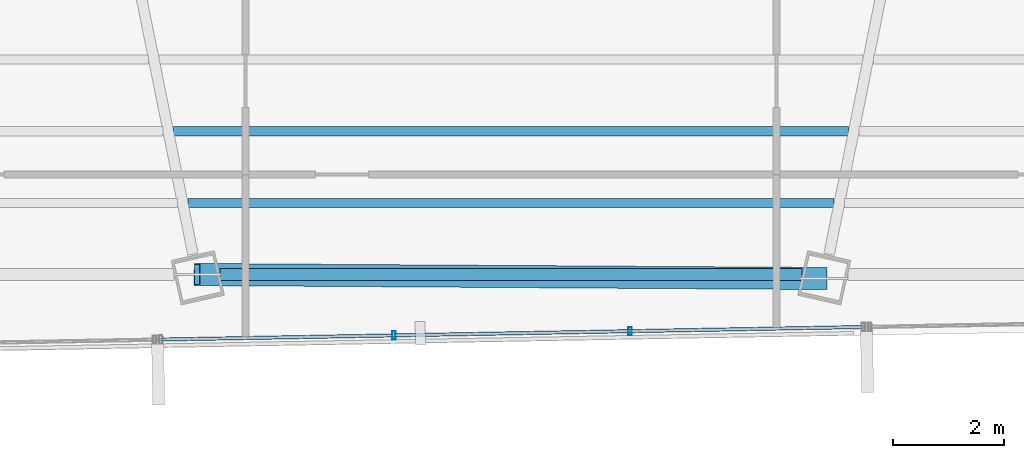
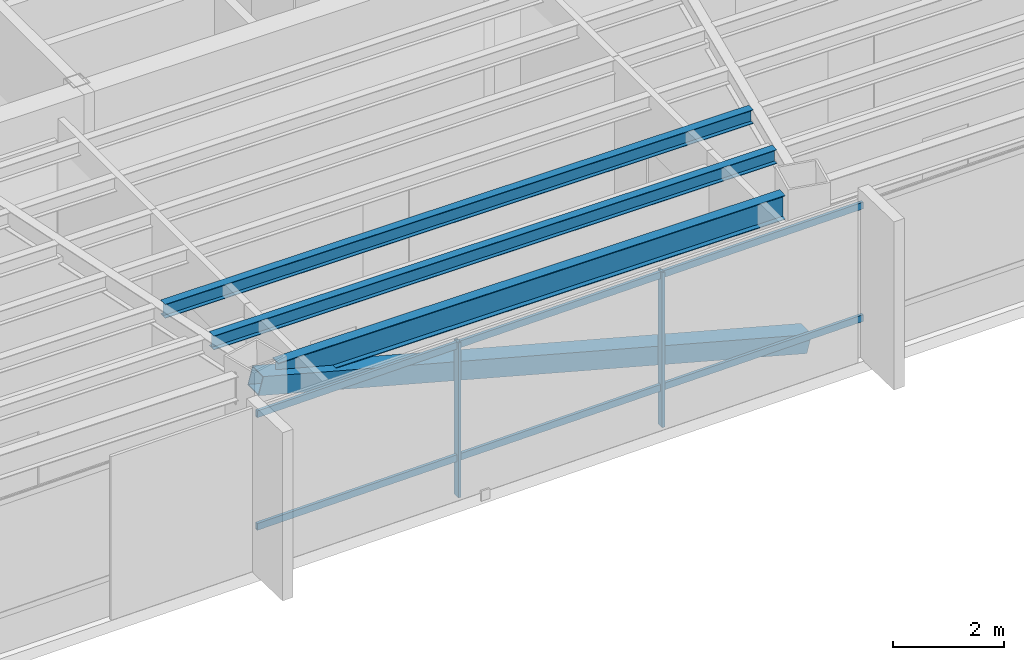
# One storey, part 12 of 42: 5 members, 3 beams, 1 element without a shape of its own.
"""IFC4 building model written with IfcOpenShell, lengths in metres."""

from ifc_helpers import new_model, si_unit, direction, frame, origin, origin_2d, place, context, subcontext, project, spatial, hollow_rectangle, i_section, extrude, source, transform, mapped, material, material_profile, profile_set, type_object, type_shapes, element, aggregate, save


model = new_model("IFC4")

# Units and contexts
model_context = context("Model", 3, precision=1e-05, world=origin(), true_north=direction((0.0, 1.0)))
body_context = subcontext(model_context, "Body", "Model", "MODEL_VIEW")
ifc_project = project(units=[si_unit("LENGTHUNIT", "METRE"), si_unit("AREAUNIT", "SQUARE_METRE"), si_unit("VOLUMEUNIT", "CUBIC_METRE"), si_unit("PLANEANGLEUNIT", "RADIAN"), si_unit("MASSUNIT", "GRAM", prefix="KILO")], contexts=[model_context])

# Site, building, storey
site_placement = place(None, origin())
site = spatial("IfcSite", under=ifc_project, at=site_placement, CompositionType="ELEMENT")
building_placement = place(site_placement, origin())
building = spatial("IfcBuilding", under=site, at=building_placement, Name="Caelisora Broadcast Tower", CompositionType="ELEMENT")
storey_placement = place(building_placement, frame((0.0, 0.0, 202.300048828125)))
storey = spatial("IfcBuildingStorey", under=building, at=storey_placement, Name="L53", CompositionType="ELEMENT", Elevation=202.300048828125)

# Beams
ifc_material_1 = material(Name="Steel Grade 350 (AS/NZS 3679.1)", Category="steel")
ifc_material_profile_1 = material_profile(ifc_material_1, i_section(OverallWidth=0.208984375, OverallDepth=0.532958984375, WebThickness=0.01025390625, FlangeThickness=0.015625, at=origin_2d()), Name="Steel Grade 350 (AS/NZS 3679.1)")
ifc_profile_set_1 = profile_set([ifc_material_profile_1], Name="Steel Grade 350 (AS/NZS 3679.1)")
beam_type_1 = type_object("IfcBeamType", Name="PG05", PredefinedType="BEAM", material=ifc_profile_set_1)
shared_shape_1 = source(origin(), body_context, "Body", "SweptSolid", [
    extrude(i_section(OverallWidth=0.208984375, OverallDepth=0.532958984375, WebThickness=0.01025390625, FlangeThickness=0.015625, at=origin_2d()), origin(), (0.0, 0.0, 1.0), 10.5244140625),
])
type_shapes(beam_type_1, [shared_shape_1])
beam_1_placement = place(storey_placement, frame((32.73779296875, 8.33251953125, 3.133544921875), z_axis=(1.0, 0.0, 0.0), x_axis=(0.0, 1.0, 0.0)))
element("IfcBeam", 1, at=beam_1_placement, inside=storey, type_object=beam_type_1, Name="L53 beam PG05", PredefinedType="BEAM", context=body_context, shape_type="MappedRepresentation", body=[
    mapped(shared_shape_1, transform((0.0, 0.0, 0.0), scale=1.0)),
])
ifc_material_profile_2 = material_profile(ifc_material_1, i_section(OverallWidth=0.166015625, OverallDepth=0.30712890625, WebThickness=0.006591796875, FlangeThickness=0.01171875, at=origin_2d()), Name="Steel Grade 350 (AS/NZS 3679.1)")
ifc_profile_set_2 = profile_set([ifc_material_profile_2], Name="Steel Grade 350 (AS/NZS 3679.1)")
beam_type_2 = type_object("IfcBeamType", Name="SB03", PredefinedType="JOIST", material=ifc_profile_set_2)
shared_shape_2 = source(origin(), body_context, "Body", "SweptSolid", [
    extrude(i_section(OverallWidth=0.166015625, OverallDepth=0.30712890625, WebThickness=0.006591796875, FlangeThickness=0.01171875, at=origin_2d()), origin(), (0.0, 0.0, 1.0), 12.20849609375),
])
beam_2_placement = place(storey_placement, frame((31.895751953125, 10.92333984375, 3.246337890625), z_axis=(1.0, 0.0, 0.0), x_axis=(0.0, 1.0, 0.0)))
element("IfcBeam", 2, at=beam_2_placement, inside=storey, type_object=beam_type_2, Name="L53 beam SB03", PredefinedType="JOIST", context=body_context, shape_type="MappedRepresentation", body=[
    mapped(shared_shape_2, transform((0.0, 0.0, 0.0), scale=1.0)),
])
shared_shape_3 = source(origin(), body_context, "Body", "SweptSolid", [
    extrude(i_section(OverallWidth=0.166015625, OverallDepth=0.30712890625, WebThickness=0.006591796875, FlangeThickness=0.01171875, at=origin_2d()), origin(), (0.0, 0.0, 1.0), 11.68798828125),
])
type_shapes(beam_type_2, [shared_shape_2, shared_shape_3])
beam_3_placement = place(storey_placement, frame((32.156005859375, 9.6279296875, 3.246337890625), z_axis=(1.0, 0.0, 0.0), x_axis=(0.0, 1.0, 0.0)))
element("IfcBeam", 3, at=beam_3_placement, inside=storey, type_object=beam_type_2, Name="L53 beam SB03", PredefinedType="JOIST", context=body_context, shape_type="MappedRepresentation", body=[
    mapped(shared_shape_3, transform((0.0, 0.0, 0.0), scale=1.0)),
])

# Member
ifc_material_2 = material(Name="Steel Grade 450 (AS/NZS 1163 C450L0)", Category="steel")
ifc_material_profile_3 = material_profile(ifc_material_2, hollow_rectangle(XDim=0.39990234375, YDim=0.39990234375, WallThickness=0.01611328125, at=origin_2d()), Name="Steel Grade 450 (AS/NZS 1163 C450L0)")
ifc_profile_set_3 = profile_set([ifc_material_profile_3], Name="Steel Grade 450 (AS/NZS 1163 C450L0)")
member_type_1 = type_object("IfcMemberType", Name="BR04", PredefinedType="BRACE", material=ifc_profile_set_3)
shared_shape_4 = source(origin(), body_context, "Body", "SweptSolid", [
    extrude(hollow_rectangle(XDim=0.39990234375, YDim=0.39990234375, WallThickness=0.01611328125, at=origin_2d()), origin(), (0.0, 0.0, 1.0), 11.72998046875),
])
type_shapes(member_type_1, [shared_shape_4])
member_1_placement = place(storey_placement, frame((32.322021484375, 8.33251953125, 3.099853515625), z_axis=(0.966721853628, -0.006160778278, -0.255755552294), x_axis=(0.006372725675, 0.999979693978, 0.0)))
element("IfcMember", 4, at=member_1_placement, inside=storey, type_object=member_type_1, Name="L53 perimeter brace BR04", PredefinedType="BRACE", context=body_context, shape_type="MappedRepresentation", body=[
    mapped(shared_shape_4, transform((0.0, 0.0, 0.0), scale=1.0)),
])

# Curtain wall, members
ifc_material_3 = material(Name="Unitised Aluminium Insulated Shadow-Box Spandrel Curtain Wall", Category="aluminium")
curtain_wall_type = type_object("IfcCurtainWallType", Name="CW-SP2", PredefinedType="NOTDEFINED", material=ifc_material_3)
curtain_wall_placement = place(storey_placement, origin())
curtain_wall = element("IfcCurtainWall", 5, at=curtain_wall_placement, inside=storey, type_object=curtain_wall_type, Name="L53 curtain wall CW-SP2", PredefinedType="NOTDEFINED")
ifc_material_4 = material(Name="Aluminium 6063-T6 Anodised Terracotta Bronze", Category="aluminium")
ifc_material_profile_4 = material_profile(ifc_material_4, hollow_rectangle(XDim=0.06005859375, YDim=0.14990234375, WallThickness=0.00341796875, at=origin_2d()), Name="Aluminium 6063-T6 Anodised Terracotta Bronze")
ifc_profile_set_4 = profile_set([ifc_material_profile_4], Name="Aluminium 6063-T6 Anodised Terracotta Bronze")
member_type_2 = type_object("IfcMemberType", Name="CWM-03", PredefinedType="MULLION", material=ifc_profile_set_4)
shared_shape_5 = source(origin(), body_context, "Body", "SweptSolid", [
    extrude(hollow_rectangle(XDim=0.06005859375, YDim=0.14990234375, WallThickness=0.00341796875, at=origin_2d()), origin(), (0.0, 0.0, 1.0), 3.39990234375),
])
type_shapes(member_type_2, [shared_shape_5])
member_2_placement = place(storey_placement, frame((40.152587890625, 7.3076171875, 0.0), z_axis=(0.0, 0.0, 1.0), x_axis=(1.0, 0.0, 0.0)))
member_2 = element("IfcMember", 6, at=member_2_placement, type_object=member_type_2, Name="L53-CW-B06 mullion #1", PredefinedType="MULLION", context=body_context, shape_type="MappedRepresentation", body=[
    mapped(shared_shape_5, transform((0.0, 0.0, 0.0), scale=1.0)),
])
member_3_placement = place(storey_placement, frame((35.8828125, 7.2314453125, 0.0), z_axis=(0.0, 0.0, 1.0), x_axis=(1.0, 0.0, 0.0)))
member_3 = element("IfcMember", 7, at=member_3_placement, type_object=member_type_2, Name="L53-CW-B06 mullion #2", PredefinedType="MULLION", context=body_context, shape_type="MappedRepresentation", body=[
    mapped(shared_shape_5, transform((0.0, 0.0, 0.0), scale=1.0)),
])
ifc_material_profile_5 = material_profile(ifc_material_4, hollow_rectangle(XDim=0.06005859375, YDim=0.14990234375, WallThickness=0.00341796875, at=origin_2d()), Name="Aluminium 6063-T6 Anodised Terracotta Bronze")
ifc_profile_set_5 = profile_set([ifc_material_profile_5], Name="Aluminium 6063-T6 Anodised Terracotta Bronze")
member_type_3 = type_object("IfcMemberType", Name="CWT-02", PredefinedType="USERDEFINED", material=ifc_profile_set_5)
shared_shape_6 = source(origin(), body_context, "Body", "SweptSolid", [
    extrude(hollow_rectangle(XDim=0.06005859375, YDim=0.14990234375, WallThickness=0.00341796875, at=origin_2d()), origin(), (0.0, 0.0, 1.0), 12.711669921875),
])
type_shapes(member_type_3, [shared_shape_6])
member_4_placement = place(storey_placement, frame((44.37255859375, 7.383056640625, 0.849853515625), z_axis=(-0.99984047075, -0.017861496337, 0.0), x_axis=(0.017861496337, -0.99984047075, 0.0)))
member_4 = element("IfcMember", 8, at=member_4_placement, type_object=member_type_3, Name="L53-CW-B06 transom #1", ObjectType="TRANSOM", PredefinedType="USERDEFINED", context=body_context, shape_type="MappedRepresentation", body=[
    mapped(shared_shape_6, transform((0.0, 0.0, 0.0), scale=1.0)),
])
member_5_placement = place(storey_placement, frame((44.37255859375, 7.383056640625, 3.320068359375), z_axis=(-0.99984047075, -0.017861496337, 0.0), x_axis=(0.017861496337, -0.99984047075, 0.0)))
member_5 = element("IfcMember", 9, at=member_5_placement, type_object=member_type_3, Name="L53-CW-B06 transom #2", ObjectType="TRANSOM", PredefinedType="USERDEFINED", context=body_context, shape_type="MappedRepresentation", body=[
    mapped(shared_shape_6, transform((0.0, 0.0, 0.0), scale=1.0)),
])
aggregate(curtain_wall, [member_2, member_3, member_4, member_5])

save(model, "model.ifc")
